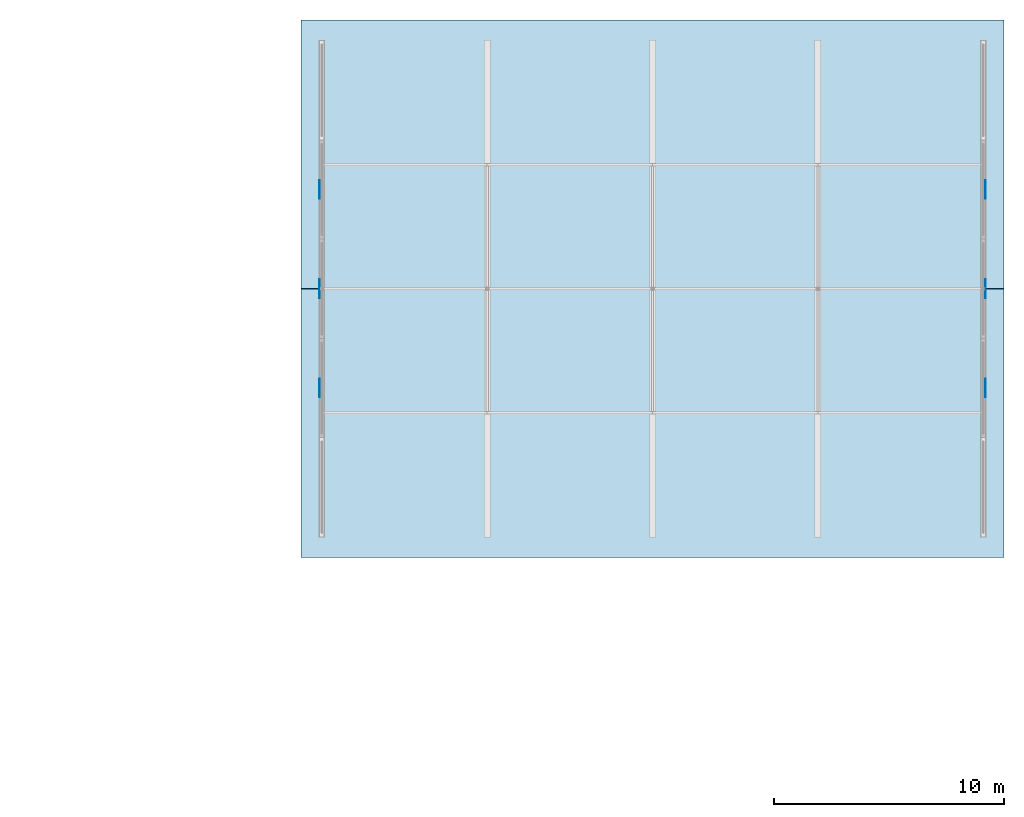
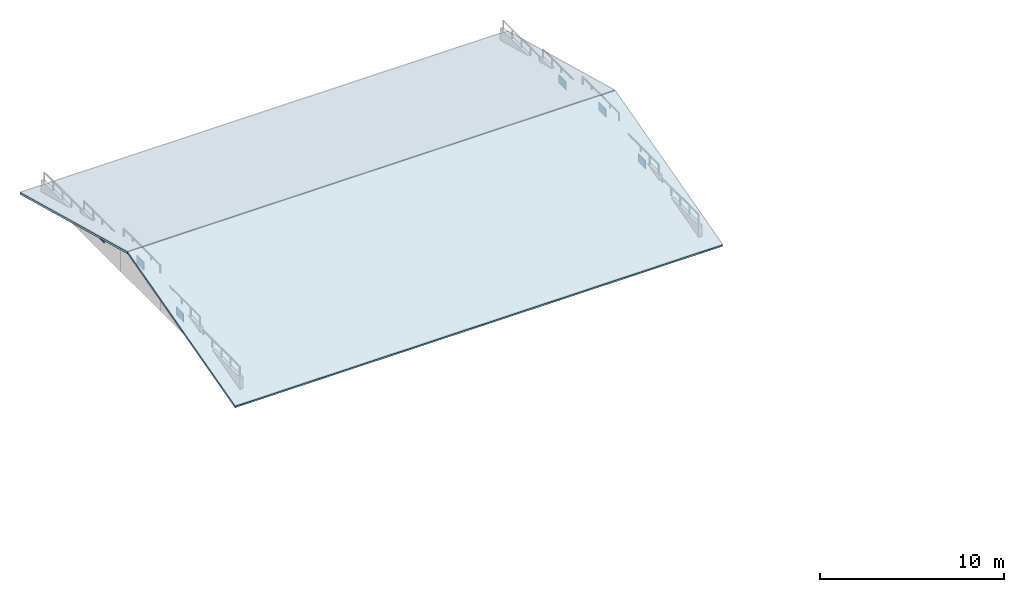
# One storey, part 15 of 22: 6 plates, 2 slabs.
"""IFC4 building model written with IfcOpenShell, lengths in metres."""

from ifc_helpers import new_model, si_unit, direction, frame, origin, origin_2d, place, context, subcontext, project, spatial, polyline, rectangle, outline, extrude, material, layer, layer_set, type_object, element, save


model = new_model("IFC4")

# Units and contexts
model_context = context("Model", 3, precision=1e-05, world=origin(), true_north=direction((0.0, 1.0)))
body_context = subcontext(model_context, "Body", "Model", "MODEL_VIEW")
ifc_project = project(units=[si_unit("LENGTHUNIT", "METRE"), si_unit("AREAUNIT", "SQUARE_METRE"), si_unit("VOLUMEUNIT", "CUBIC_METRE"), si_unit("PLANEANGLEUNIT", "RADIAN"), si_unit("MASSUNIT", "GRAM", prefix="KILO"), si_unit("THERMODYNAMICTEMPERATUREUNIT", "KELVIN"), si_unit("POWERUNIT", "WATT")], contexts=[model_context])

# Site, building, storey
site_placement = place(None, origin())
site = spatial("IfcSite", under=ifc_project, at=site_placement, CompositionType="ELEMENT")
building_placement = place(site_placement, origin())
building = spatial("IfcBuilding", under=site, at=building_placement, Name="Tavuni Mirador Residences", CompositionType="ELEMENT")
storey_placement = place(building_placement, frame((0.0, 0.0, 45.449951171875)))
storey = spatial("IfcBuildingStorey", under=building, at=storey_placement, Name="L14", CompositionType="ELEMENT", Elevation=45.449951171875)

# Plates
ifc_material_1 = material(Name="Structural steel S355", Category="steel")
ifc_layer_1 = layer(ifc_material_1, 0.028076171875, Name="Structural steel S355", Category="steel")
ifc_layer_set_1 = layer_set([ifc_layer_1], Name="Structural steel S355")
plate_type = type_object("IfcPlateType", Name="PLT-GP09", PredefinedType="USERDEFINED", material=ifc_layer_set_1)
for number, where, z_axis, x_axis, name in (
    (1, (17.90087890625, 157.679931640625, 0.820068359375), (0.0, 0.0, 1.0), (0.0, 1.0, 0.0), "TRENC-BLK-C-Y0-1"),
    (2, (17.90087890625, 162.0, 1.6201171875), (0.0, 0.0, 1.0), (0.0, 1.0, 0.0), "TRENC-BLK-C-Y0-2"),
    (3, (17.90087890625, 166.320068359375, 0.820068359375), (0.0, 0.0, 1.0), (0.0, 1.0, 0.0), "TRENC-BLK-C-Y0-3"),
    (4, (46.89892578125, 157.679931640625, 0.820068359375), (0.0, 0.0, 1.0), (0.0, 1.0, 0.0), "TRENC-BLK-C-Y1-1"),
    (5, (46.89892578125, 162.0, 1.6201171875), (0.0, 0.0, 1.0), (0.0, 1.0, 0.0), "TRENC-BLK-C-Y1-2"),
    (6, (46.89892578125, 166.320068359375, 0.820068359375), (0.0, 0.0, 1.0), (0.0, 1.0, 0.0), "TRENC-BLK-C-Y1-3"),
):
    element("IfcPlate", number, at=place(storey_placement, frame(where, z_axis=z_axis, x_axis=x_axis)), inside=storey, type_object=plate_type, Name=name, ObjectType="GUSSET PLATE", PredefinedType="USERDEFINED", context=body_context, shape_type="SweptSolid", body=[
        extrude(rectangle(XDim=0.820068359375, YDim=0.028076171875, at=origin_2d()), origin(), (0.0, 0.0, 1.0), 0.56005859375),
    ])

# Slabs
ifc_material_2 = material(Name="Precast concrete C40/50", Category="concrete")
ifc_layer_2 = layer(ifc_material_2, 0.135009765625, Name="Precast concrete C40/50", Category="concrete")
ifc_layer_set_2 = layer_set([ifc_layer_2], Name="Precast concrete C40/50")
slab_type = type_object("IfcSlabType", Name="SLT-RF135", PredefinedType="ROOF", material=ifc_layer_set_2)
for number, where, z_axis, x_axis, name in (
    (7, (17.10009765625, 150.300048828125, -0.24169921875), (0.0, -0.259594385417, 0.965717740885), (1.0, 0.0, 0.0), "RF-BLK-C-S"),
    (8, (17.10009765625, 162.011962890625, 2.900146484375), (0.0, 0.259594385417, 0.965717740885), (1.0, 0.0, 0.0), "RF-BLK-C-N"),
):
    element("IfcSlab", number, at=place(storey_placement, frame(where, z_axis=z_axis, x_axis=x_axis)), inside=storey, type_object=slab_type, Name=name, PredefinedType="ROOF", context=body_context, shape_type="SweptSolid", body=[
        extrude(outline(polyline([(0.0, 0.0), (30.599853515625, 0.0), (30.599853515625, 12.102903142836528), (0.0, 12.102903142836528), (0.0, 0.0)])), origin(), (0.0, 0.0, -1.0), 0.135009765625),
    ])

save(model, "model.ifc")
